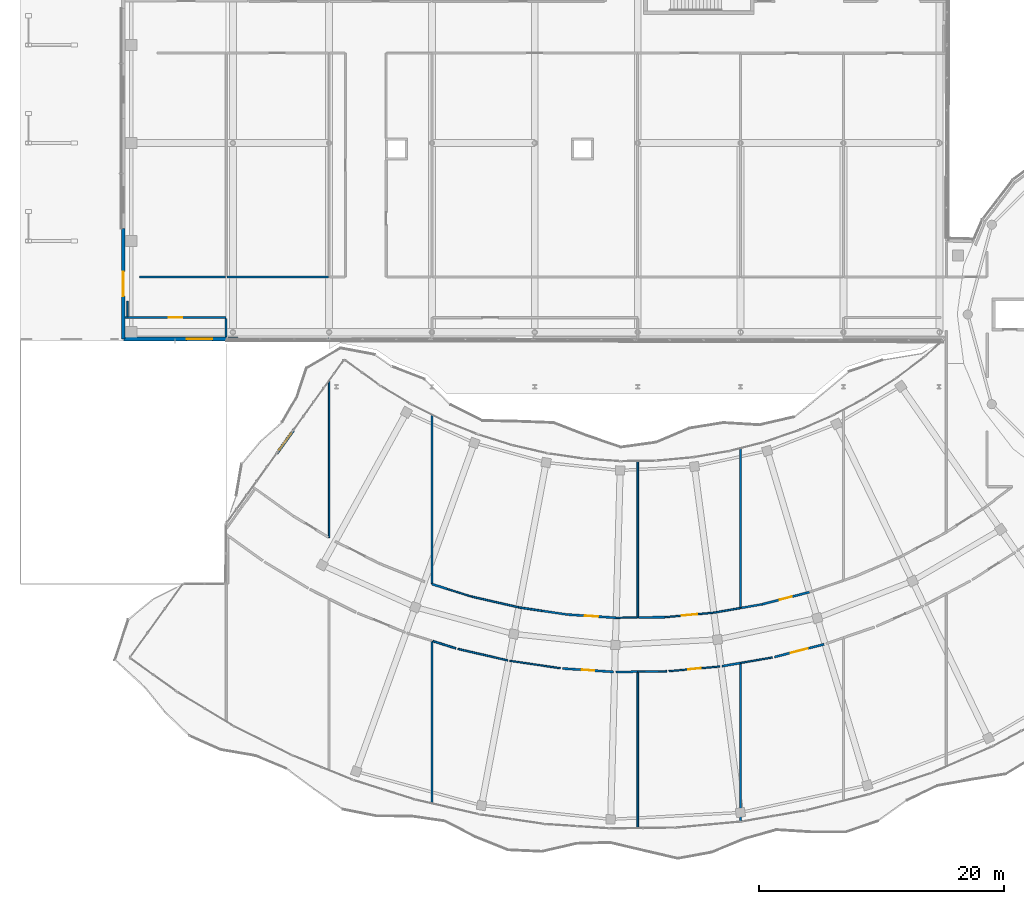
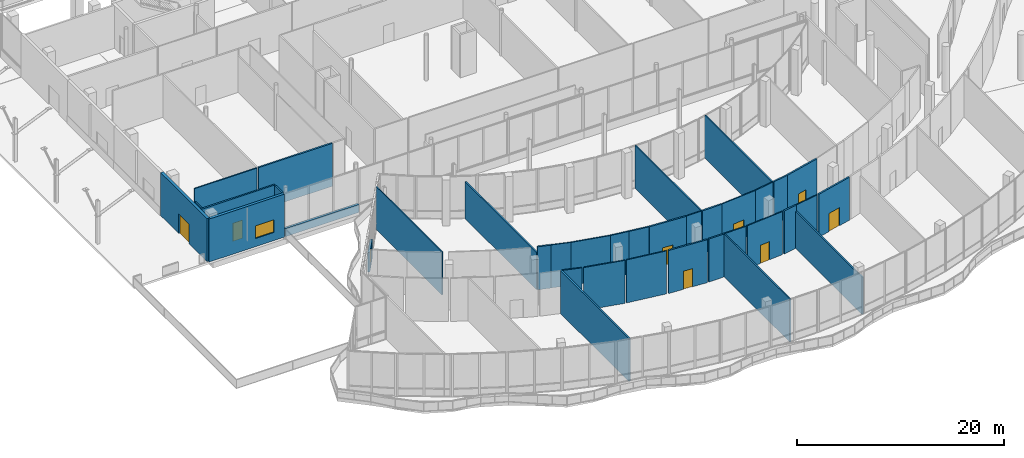
# One storey, part 133 of 158: 38 walls, 9 doors, 1 window, 10 openings.
"""IFC4 building model written with IfcOpenShell, lengths in metres."""

from ifc_helpers import new_model, si_unit, direction, frame, frame_2d, origin, place, context, subcontext, project, spatial, rectangle, extrude, material, layer, layer_set, type_object, element, fill, save


model = new_model("IFC4")

# Units and contexts
model_context = context("Model", 3, precision=1e-05, world=origin(), true_north=direction((0.0, 1.0)))
body_context = subcontext(model_context, "Body", "Model", "MODEL_VIEW")
ifc_project = project(units=[si_unit("LENGTHUNIT", "METRE"), si_unit("AREAUNIT", "SQUARE_METRE"), si_unit("VOLUMEUNIT", "CUBIC_METRE"), si_unit("PLANEANGLEUNIT", "RADIAN"), si_unit("MASSUNIT", "GRAM", prefix="KILO")], contexts=[model_context])

# Site, building, storey
site_placement = place(None, origin())
site = spatial("IfcSite", under=ifc_project, at=site_placement, CompositionType="ELEMENT")
building_placement = place(site_placement, origin())
building = spatial("IfcBuilding", under=site, at=building_placement, Name="Selatvlak General Hospital", CompositionType="ELEMENT")
storey_placement = place(building_placement, origin())
storey = spatial("IfcBuildingStorey", under=building, at=storey_placement, Name="L00", CompositionType="ELEMENT", Elevation=0.0)

# Wall, opening, door
ifc_material_1 = material(Name="Precast concrete C40/50 - white fair-faced", Category="concrete")
ifc_layer_1 = layer(ifc_material_1, 0.300048828125, Name="Precast concrete C40/50 - white fair-faced", Category="concrete")
ifc_layer_set_1 = layer_set([ifc_layer_1], Name="Precast concrete C40/50 - white fair-faced")
wall_type_1 = type_object("IfcWallType", Name="WALL-EW-01", PredefinedType="SOLIDWALL", material=ifc_layer_set_1)
wall_1_placement = place(storey_placement, frame((14.39990234375, 52.0, 0.0), z_axis=(0.0, 0.0, 1.0), x_axis=(0.0, 1.0, 0.0)))
wall_1 = element("IfcWall", 1, at=wall_1_placement, inside=storey, type_object=wall_type_1, Name="L00 exterior wall 0142", PredefinedType="SOLIDWALL", context=body_context, shape_type="SweptSolid", body=[
    extrude(rectangle(XDim=9.0, YDim=0.300048828125, at=frame_2d((4.5, 0.0))), origin(), (0.0, 0.0, 1.0), 5.080078125),
])
opening_1_placement = place(wall_1_placement, frame((3.5, 0.0, 0.0)))
opening_1 = element("IfcOpeningElement", 2, at=opening_1_placement, cuts=wall_1, Name="Opening DE-03", PredefinedType="OPENING", context=body_context, shape_type="SweptSolid", body=[
    extrude(rectangle(XDim=2.0, YDim=2.300048828125, at=frame_2d((1.0, 1.14990234375))), frame((0.0, 0.159912109375, 0.0), z_axis=(0.0, -1.0, 0.0), x_axis=(1.0, 0.0, 0.0)), (0.0, 0.0, 1.0), 0.320068359375),
])
ifc_material_2 = material(Name="Steel acoustic fire exit double door", Category="steel")
door_type_1 = type_object("IfcDoorType", Name="DOOR-DE-03", OperationType="DOUBLE_DOOR_SINGLE_SWING", PredefinedType="DOOR", material=ifc_material_2)
door_1_placement = place(opening_1_placement, origin())
door_1 = element("IfcDoor", 3, at=door_1_placement, inside=storey, type_object=door_type_1, Name="Ground pedestrian final exit double door 02", OperationType="DOUBLE_DOOR_SINGLE_SWING", OverallHeight=2.300048828125, OverallWidth=2.0, PredefinedType="DOOR", context=body_context, shape_type="SweptSolid", body=[
    extrude(rectangle(XDim=2.0, YDim=2.300048828125, at=frame_2d((1.0, 1.14990234375))), frame((0.0, 0.02490234375, 0.0), z_axis=(0.0, -1.0, 0.0), x_axis=(1.0, 0.0, 0.0)), (0.0, 0.0, 1.0), 0.050048828125),
])
fill(opening_1, door_1)

# Wall, opening, window
wall_2_placement = place(storey_placement, frame((22.80908203125, 52.0, 0.0), z_axis=(0.0, 0.0, 1.0), x_axis=(-1.0, 0.0, 0.0)))
wall_2 = element("IfcWall", 4, at=wall_2_placement, inside=storey, type_object=wall_type_1, Name="L00 exterior wall 0187", PredefinedType="SOLIDWALL", context=body_context, shape_type="SweptSolid", body=[
    extrude(rectangle(XDim=8.4091796875, YDim=0.300048828125, at=frame_2d((4.20458984375, 0.0))), origin(), (0.0, 0.0, 1.0), 5.080078125),
])
opening_2_placement = place(wall_2_placement, frame((1.135986328125, 0.0, 0.9599609375)))
opening_2 = element("IfcOpeningElement", 5, at=opening_2_placement, cuts=wall_2, Name="Opening WN-06", PredefinedType="OPENING", context=body_context, shape_type="SweptSolid", body=[
    extrude(rectangle(XDim=2.10009765625, YDim=1.5, at=frame_2d((1.050048828125, 0.75))), frame((0.0, 0.159912109375, 0.0), z_axis=(0.0, -1.0, 0.0), x_axis=(1.0, 0.0, 0.0)), (0.0, 0.0, 1.0), 0.320068359375),
])
ifc_material_3 = material(Name="Thermally broken aluminium Low-E window", Category="aluminium")
window_type = type_object("IfcWindowType", Name="WIN-WN-06", PartitioningType="SINGLE_PANEL", PredefinedType="WINDOW", material=ifc_material_3)
window_placement = place(opening_2_placement, origin())
window = element("IfcWindow", 6, at=window_placement, inside=storey, type_object=window_type, Name="L00 Bauhaus ribbon window 0005", OverallHeight=1.5, OverallWidth=2.10009765625, PartitioningType="SINGLE_PANEL", PredefinedType="WINDOW", context=body_context, shape_type="SweptSolid", body=[
    extrude(rectangle(XDim=2.10009765625, YDim=1.5, at=frame_2d((1.050048828125, 0.75))), frame((0.0, 0.030029296875, 0.0), z_axis=(0.0, -1.0, 0.0), x_axis=(1.0, 0.0, 0.0)), (0.0, 0.0, 1.0), 0.06005859375),
])
fill(opening_2, window)

# Wall
ifc_material_4 = material(Name="Precast concrete C40/50 - white Bauhaus spandrel", Category="concrete")
ifc_layer_2 = layer(ifc_material_4, 0.280029296875, Name="Precast concrete C40/50 - white Bauhaus spandrel", Category="concrete")
ifc_layer_set_2 = layer_set([ifc_layer_2], Name="Precast concrete C40/50 - white Bauhaus spandrel")
wall_type_2 = type_object("IfcWallType", Name="WALL-EW-02", PredefinedType="SOLIDWALL", material=ifc_layer_set_2)
wall_3_placement = place(storey_placement, frame((31.1689453125, 51.985107421875, 0.0), z_axis=(0.0, 0.0, 1.0), x_axis=(-0.999998358775, 0.001811752647, 0.0)))
element("IfcWall", 7, at=wall_3_placement, inside=storey, type_object=wall_type_2, Name="L00 Bauhaus spandrel sill wall 0186", PredefinedType="SOLIDWALL", context=body_context, shape_type="SweptSolid", body=[
    extrude(rectangle(XDim=8.219970703125, YDim=0.280029296875, at=frame_2d((4.10986328125, 0.0))), origin(), (0.0, 0.0, 1.0), 0.93994140625),
])

# Wall, opening, door
ifc_layer_3 = layer(ifc_material_1, 0.239990234375, Name="Precast concrete C40/50 - white fair-faced", Category="concrete")
ifc_layer_set_3 = layer_set([ifc_layer_3], Name="Precast concrete C40/50 - white fair-faced")
wall_type_3 = type_object("IfcWallType", Name="WALL-EW-04", PredefinedType="SOLIDWALL", material=ifc_layer_set_3)
wall_4_placement = place(storey_placement, frame((26.947021484375, 42.672119140625, 0.0), z_axis=(0.0, 0.0, 1.0), x_axis=(0.583485123331, 0.812123827289, 0.0)))
wall_4 = element("IfcWall", 8, at=wall_4_placement, inside=storey, type_object=wall_type_3, Name="L00 S-curve glazed balcony door frame 0179", PredefinedType="SOLIDWALL", context=body_context, shape_type="SweptSolid", body=[
    extrude(rectangle(XDim=2.300048828125, YDim=0.239990234375, at=frame_2d((1.14990234375, 0.0))), origin(), (0.0, 0.0, 1.0), 2.320068359375),
])
opening_3_placement = place(wall_4_placement, frame((0.35009765625, 0.0, 0.0)))
opening_3 = element("IfcOpeningElement", 9, at=opening_3_placement, cuts=wall_4, Name="Opening DE-05", PredefinedType="OPENING", context=body_context, shape_type="SweptSolid", body=[
    extrude(rectangle(XDim=1.60009765625, YDim=2.199951171875, at=frame_2d((0.800048828125, 1.10009765625))), frame((0.0, 0.1298828125, 0.0), z_axis=(0.0, -1.0, 0.0), x_axis=(1.0, 0.0, 0.0)), (0.0, 0.0, 1.0), 0.260009765625),
])
ifc_material_5 = material(Name="Anodised aluminium balcony double door", Category="aluminium")
door_type_2 = type_object("IfcDoorType", Name="DOOR-DE-05", OperationType="DOUBLE_DOOR_SINGLE_SWING", PredefinedType="DOOR", material=ifc_material_5)
door_2_placement = place(opening_3_placement, origin())
door_2 = element("IfcDoor", 10, at=door_2_placement, inside=storey, type_object=door_type_2, Name="L00 clinic balcony double door 19", OperationType="DOUBLE_DOOR_SINGLE_SWING", OverallHeight=2.199951171875, OverallWidth=1.60009765625, PredefinedType="DOOR", context=body_context, shape_type="SweptSolid", body=[
    extrude(rectangle(XDim=1.60009765625, YDim=2.199951171875, at=frame_2d((0.800048828125, 1.10009765625))), frame((0.0, 0.02490234375, 0.0), z_axis=(0.0, -1.0, 0.0), x_axis=(1.0, 0.0, 0.0)), (0.0, 0.0, 1.0), 0.050048828125),
])
fill(opening_3, door_2)

ifc_material_6 = material(Name="Acoustic gypsum stud partition")
ifc_layer_4 = layer(ifc_material_6, 0.179931640625, Name="Acoustic gypsum stud partition")
ifc_layer_set_4 = layer_set([ifc_layer_4], Name="Acoustic gypsum stud partition")
wall_type_4 = type_object("IfcWallType", Name="WALL-PT-01", PredefinedType="PARTITIONING", material=ifc_layer_set_4)
wall_5_placement = place(storey_placement, frame((14.547119140625, 53.739990234375, 0.0), z_axis=(0.0, 0.0, 1.0), x_axis=(1.0, 0.0, 0.0)))
wall_5 = element("IfcWall", 11, at=wall_5_placement, inside=storey, type_object=wall_type_4, Name="L00 clinical partition PT-L00-0405", PredefinedType="PARTITIONING", context=body_context, shape_type="SweptSolid", body=[
    extrude(rectangle(XDim=8.2529296875, YDim=0.179931640625, at=frame_2d((4.12646484375, 0.0))), origin(), (0.0, 0.0, 1.0), 5.080078125),
])
opening_4_placement = place(wall_5_placement, frame((3.576904296875, 0.0, 0.0)))
opening_4 = element("IfcOpeningElement", 12, at=opening_4_placement, cuts=wall_5, Name="Opening D-22", PredefinedType="OPENING", context=body_context, shape_type="SweptSolid", body=[
    extrude(rectangle(XDim=1.10009765625, YDim=2.14990234375, at=frame_2d((0.550048828125, 1.074951171875))), frame((0.0, 0.099853515625, 0.0), z_axis=(0.0, -1.0, 0.0), x_axis=(1.0, 0.0, 0.0)), (0.0, 0.0, 1.0), 0.199951171875),
])
ifc_material_7 = material(Name="Pharmacy security fire door")
door_type_3 = type_object("IfcDoorType", Name="DOOR-D-22", OperationType="NOTDEFINED", PredefinedType="DOOR", material=ifc_material_7)
door_3_placement = place(opening_4_placement, origin())
door_3 = element("IfcDoor", 13, at=door_3_placement, inside=storey, type_object=door_type_3, Name="L00 Emergency Trauma Resuscitation Bay 01 door", OperationType="SINGLE_SWING_LEFT", OverallHeight=2.14990234375, OverallWidth=1.10009765625, PredefinedType="DOOR", context=body_context, shape_type="SweptSolid", body=[
    extrude(rectangle(XDim=1.10009765625, YDim=2.14990234375, at=frame_2d((0.550048828125, 1.074951171875))), frame((0.0, 0.02490234375, 0.0), z_axis=(0.0, -1.0, 0.0), x_axis=(1.0, 0.0, 0.0)), (0.0, 0.0, 1.0), 0.050048828125),
])
fill(opening_4, door_3)

# Walls
wall_6_placement = place(storey_placement, frame((31.14404296875, 57.06005859375, 0.0), z_axis=(0.0, 0.0, 1.0), x_axis=(-1.0, 0.0, 0.0)))
element("IfcWall", 14, at=wall_6_placement, inside=storey, type_object=wall_type_4, Name="L00 clinical partition PT-L00-0420", PredefinedType="PARTITIONING", context=body_context, shape_type="SweptSolid", body=[
    extrude(rectangle(XDim=8.27294921875, YDim=0.179931640625, at=frame_2d((4.136474609375, 0.0))), origin(), (0.0, 0.0, 1.0), 5.080078125),
])
wall_7_placement = place(storey_placement, frame((39.60009765625, 27.35009765625, 0.0), z_axis=(0.0, 0.0, 1.0), x_axis=(0.0, -1.0, 0.0)))
element("IfcWall", 15, at=wall_7_placement, inside=storey, type_object=wall_type_4, Name="L00 clinical partition PT-L00-0425", PredefinedType="PARTITIONING", context=body_context, shape_type="SweptSolid", body=[
    extrude(rectangle(XDim=13.274169921875, YDim=0.179931640625, at=frame_2d((6.63720703125, 0.0))), origin(), (0.0, 0.0, 1.0), 5.080078125),
])

# Wall, opening, door
wall_8_placement = place(storey_placement, frame((50.26904296875, 25.093017578125, 0.0), z_axis=(0.0, 0.0, 1.0), x_axis=(0.997763106532, -0.066848958427, 0.0)))
wall_8 = element("IfcWall", 16, at=wall_8_placement, inside=storey, type_object=wall_type_4, Name="L00 clinical partition PT-L00-0440", PredefinedType="PARTITIONING", context=body_context, shape_type="SweptSolid", body=[
    extrude(rectangle(XDim=4.17431640625, YDim=0.179931640625, at=frame_2d((2.087158203125, 0.0))), origin(), (0.0, 0.0, 1.0), 5.080078125),
])
opening_5_placement = place(wall_8_placement, frame((1.5869140625, 0.0, 0.0)))
opening_5 = element("IfcOpeningElement", 17, at=opening_5_placement, cuts=wall_8, Name="Opening D-21", PredefinedType="OPENING", context=body_context, shape_type="SweptSolid", body=[
    extrude(rectangle(XDim=1.0, YDim=2.14990234375, at=frame_2d((0.5, 1.074951171875))), frame((0.0, 0.099853515625, 0.0), z_axis=(0.0, -1.0, 0.0), x_axis=(1.0, 0.0, 0.0)), (0.0, 0.0, 1.0), 0.199951171875),
])
ifc_material_8 = material(Name="Laboratory fire door")
door_type_4 = type_object("IfcDoorType", Name="DOOR-D-21", OperationType="NOTDEFINED", PredefinedType="DOOR", material=ifc_material_8)
door_4_placement = place(opening_5_placement, origin())
door_4 = element("IfcDoor", 18, at=door_4_placement, inside=storey, type_object=door_type_4, Name="L00 Outpatient Specialist Waiting Concourse 08 door", OperationType="SINGLE_SWING_RIGHT", OverallHeight=2.14990234375, OverallWidth=1.0, PredefinedType="DOOR", context=body_context, shape_type="SweptSolid", body=[
    extrude(rectangle(XDim=1.0, YDim=2.14990234375, at=frame_2d((0.5, 1.074951171875))), frame((0.0, 0.02490234375, 0.0), z_axis=(0.0, -1.0, 0.0), x_axis=(1.0, 0.0, 0.0)), (0.0, 0.0, 1.0), 0.050048828125),
])
fill(opening_5, door_4)

wall_9_placement = place(storey_placement, frame((54.64208984375, 29.22998046875, 0.0), z_axis=(0.0, 0.0, 1.0), x_axis=(-0.99776702154, 0.06679049878, 0.0)))
wall_9 = element("IfcWall", 19, at=wall_9_placement, inside=storey, type_object=wall_type_4, Name="L00 clinical partition PT-L00-0445", PredefinedType="PARTITIONING", context=body_context, shape_type="SweptSolid", body=[
    extrude(rectangle(XDim=3.9990234375, YDim=0.179931640625, at=frame_2d((1.99951171875, 0.0))), origin(), (0.0, 0.0, 1.0), 5.080078125),
])
opening_6_placement = place(wall_9_placement, frame((1.448974609375, 0.0, 0.0)))
opening_6 = element("IfcOpeningElement", 20, at=opening_6_placement, cuts=wall_9, Name="Opening D-22", PredefinedType="OPENING", context=body_context, shape_type="SweptSolid", body=[
    extrude(rectangle(XDim=1.10009765625, YDim=2.14990234375, at=frame_2d((0.550048828125, 1.074951171875))), frame((0.0, 0.099853515625, 0.0), z_axis=(0.0, -1.0, 0.0), x_axis=(1.0, 0.0, 0.0)), (0.0, 0.0, 1.0), 0.199951171875),
])
door_5_placement = place(opening_6_placement, origin())
door_5 = element("IfcDoor", 21, at=door_5_placement, inside=storey, type_object=door_type_3, Name="L00 Outpatient Specialist Waiting Concourse 09 door", OperationType="SINGLE_SWING_LEFT", OverallHeight=2.14990234375, OverallWidth=1.10009765625, PredefinedType="DOOR", context=body_context, shape_type="SweptSolid", body=[
    extrude(rectangle(XDim=1.10009765625, YDim=2.14990234375, at=frame_2d((0.550048828125, 1.074951171875))), frame((0.0, 0.02490234375, 0.0), z_axis=(0.0, -1.0, 0.0), x_axis=(1.0, 0.0, 0.0)), (0.0, 0.0, 1.0), 0.050048828125),
])
fill(opening_6, door_5)

# Walls
wall_10_placement = place(storey_placement, frame((40.885009765625, 31.5791015625, 0.0), z_axis=(0.0, 0.0, 1.0), x_axis=(-0.953790595737, 0.300472127633, 0.0)))
element("IfcWall", 22, at=wall_10_placement, inside=storey, type_object=wall_type_4, Name="L00 clinical partition PT-L00-0450", PredefinedType="PARTITIONING", context=body_context, shape_type="SweptSolid", body=[
    extrude(rectangle(XDim=1.34716796875, YDim=0.179931640625, at=frame_2d((0.673583984375, 0.0))), origin(), (0.0, 0.0, 1.0), 5.080078125),
])
wall_11_placement = place(storey_placement, frame((63.2900390625, 25.280029296875, 0.0), z_axis=(0.0, 0.0, 1.0), x_axis=(0.985282990006, 0.170931066819, 0.0)))
element("IfcWall", 23, at=wall_11_placement, inside=storey, type_object=wall_type_4, Name="L00 clinical partition PT-L00-0460", PredefinedType="PARTITIONING", context=body_context, shape_type="SweptSolid", body=[
    extrude(rectangle(XDim=1.532470703125, YDim=0.179931640625, at=frame_2d((0.76611328125, 0.0))), origin(), (0.0, 0.0, 1.0), 5.080078125),
])
wall_12_placement = place(storey_placement, frame((58.638916015625, 29.281005859375, 0.0), z_axis=(0.0, 0.0, 1.0), x_axis=(-0.999916773113, -0.012901428128, 0.0)))
element("IfcWall", 24, at=wall_12_placement, inside=storey, type_object=wall_type_4, Name="L00 clinical partition PT-L00-0465", PredefinedType="PARTITIONING", context=body_context, shape_type="SweptSolid", body=[
    extrude(rectangle(XDim=2.17626953125, YDim=0.179931640625, at=frame_2d((1.088134765625, 0.0))), origin(), (0.0, 0.0, 1.0), 5.080078125),
])

# Wall, opening, door
wall_13_placement = place(storey_placement, frame((67.573974609375, 26.030029296875, 0.0), z_axis=(0.0, 0.0, 1.0), x_axis=(0.968581545525, 0.248696179443, 0.0)))
wall_13 = element("IfcWall", 25, at=wall_13_placement, inside=storey, type_object=wall_type_4, Name="L00 clinical partition PT-L00-0470", PredefinedType="PARTITIONING", context=body_context, shape_type="SweptSolid", body=[
    extrude(rectangle(XDim=4.174072265625, YDim=0.179931640625, at=frame_2d((2.0869140625, 0.0))), origin(), (0.0, 0.0, 1.0), 5.080078125),
])
opening_7_placement = place(wall_13_placement, frame((1.362060546875, 0.0, 0.0)))
opening_7 = element("IfcOpeningElement", 26, at=opening_7_placement, cuts=wall_13, Name="Opening D-12", PredefinedType="OPENING", context=body_context, shape_type="SweptSolid", body=[
    extrude(rectangle(XDim=1.449951171875, YDim=2.14990234375, at=frame_2d((0.72509765625, 1.074951171875))), frame((0.0, 0.099853515625, 0.0), z_axis=(0.0, -1.0, 0.0), x_axis=(1.0, 0.0, 0.0)), (0.0, 0.0, 1.0), 0.199951171875),
])
ifc_material_9 = material(Name="Isolation anteroom door")
door_type_5 = type_object("IfcDoorType", Name="DOOR-D-12", OperationType="NOTDEFINED", PredefinedType="DOOR", material=ifc_material_9)
door_6_placement = place(opening_7_placement, origin())
door_6 = element("IfcDoor", 27, at=door_6_placement, inside=storey, type_object=door_type_5, Name="L00 Dermatology Procedure Clinic 15 door", OperationType="SINGLE_SWING_LEFT", OverallHeight=2.14990234375, OverallWidth=1.449951171875, PredefinedType="DOOR", context=body_context, shape_type="SweptSolid", body=[
    extrude(rectangle(XDim=1.449951171875, YDim=2.14990234375, at=frame_2d((0.72509765625, 1.074951171875))), frame((0.0, 0.02490234375, 0.0), z_axis=(0.0, -1.0, 0.0), x_axis=(1.0, 0.0, 0.0)), (0.0, 0.0, 1.0), 0.050048828125),
])
fill(opening_7, door_6)

wall_14_placement = place(storey_placement, frame((70.43310546875, 31.327880859375, 0.0), z_axis=(0.0, 0.0, 1.0), x_axis=(-0.968571543656, -0.248735129846, 0.0)))
wall_14 = element("IfcWall", 28, at=wall_14_placement, inside=storey, type_object=wall_type_4, Name="L00 clinical partition PT-L00-0475", PredefinedType="PARTITIONING", context=body_context, shape_type="SweptSolid", body=[
    extrude(rectangle(XDim=3.999755859375, YDim=0.179931640625, at=frame_2d((2.0, 0.0))), origin(), (0.0, 0.0, 1.0), 5.080078125),
])
opening_8_placement = place(wall_14_placement, frame((1.5, 0.0, 0.0)))
opening_8 = element("IfcOpeningElement", 29, at=opening_8_placement, cuts=wall_14, Name="Opening D-21", PredefinedType="OPENING", context=body_context, shape_type="SweptSolid", body=[
    extrude(rectangle(XDim=1.0, YDim=2.14990234375, at=frame_2d((0.5, 1.074951171875))), frame((0.0, 0.099853515625, 0.0), z_axis=(0.0, -1.0, 0.0), x_axis=(1.0, 0.0, 0.0)), (0.0, 0.0, 1.0), 0.199951171875),
])
door_7_placement = place(opening_8_placement, origin())
door_7 = element("IfcDoor", 30, at=door_7_placement, inside=storey, type_object=door_type_4, Name="L00 Outpatient Specialist Consultation Clinic 16 door", OperationType="SINGLE_SWING_RIGHT", OverallHeight=2.14990234375, OverallWidth=1.0, PredefinedType="DOOR", context=body_context, shape_type="SweptSolid", body=[
    extrude(rectangle(XDim=1.0, YDim=2.14990234375, at=frame_2d((0.5, 1.074951171875))), frame((0.0, 0.02490234375, 0.0), z_axis=(0.0, -1.0, 0.0), x_axis=(1.0, 0.0, 0.0)), (0.0, 0.0, 1.0), 0.050048828125),
])
fill(opening_8, door_7)

# Walls
ifc_layer_5 = layer(ifc_material_6, 0.1650390625, Name="Acoustic gypsum stud partition")
ifc_layer_set_5 = layer_set([ifc_layer_5], Name="Acoustic gypsum stud partition")
wall_type_5 = type_object("IfcWallType", Name="WALL-PT-02", PredefinedType="PARTITIONING", material=ifc_layer_set_5)
wall_15_placement = place(storey_placement, frame((22.800048828125, 53.654052734375, 0.0), z_axis=(0.0, 0.0, 1.0), x_axis=(0.0, -1.0, 0.0)))
element("IfcWall", 31, at=wall_15_placement, inside=storey, type_object=wall_type_5, Name="L00 clinical partition PT-L00-0406", PredefinedType="PARTITIONING", context=body_context, shape_type="SweptSolid", body=[
    extrude(rectangle(XDim=1.507080078125, YDim=0.1650390625, at=frame_2d((0.75341796875, 0.0))), origin(), (0.0, 0.0, 1.0), 5.080078125),
])
wall_16_placement = place(storey_placement, frame((39.60009765625, 45.7939453125, 0.0), z_axis=(0.0, 0.0, 1.0), x_axis=(0.0, -1.0, 0.0)))
element("IfcWall", 32, at=wall_16_placement, inside=storey, type_object=wall_type_5, Name="L00 clinical partition PT-L00-0426", PredefinedType="PARTITIONING", context=body_context, shape_type="SweptSolid", body=[
    extrude(rectangle(XDim=13.81005859375, YDim=0.1650390625, at=frame_2d((6.905029296875, 0.0))), origin(), (0.0, 0.0, 1.0), 4.3798828125),
])
wall_17_placement = place(storey_placement, frame((54.610107421875, 24.80908203125, 0.0), z_axis=(0.0, 0.0, 1.0), x_axis=(0.999917804939, 0.012821207702, 0.0)))
element("IfcWall", 33, at=wall_17_placement, inside=storey, type_object=wall_type_5, Name="L00 clinical partition PT-L00-0441", PredefinedType="PARTITIONING", context=body_context, shape_type="SweptSolid", body=[
    extrude(rectangle(XDim=1.7900390625, YDim=0.1650390625, at=frame_2d((0.89501953125, 0.0))), origin(), (0.0, 0.0, 1.0), 5.080078125),
])
wall_18_placement = place(storey_placement, frame((50.652099609375, 29.4970703125, 0.0), z_axis=(0.0, 0.0, 1.0), x_axis=(-0.989358152092, 0.145500676593, 0.0)))
element("IfcWall", 34, at=wall_18_placement, inside=storey, type_object=wall_type_5, Name="L00 clinical partition PT-L00-0446", PredefinedType="PARTITIONING", context=body_context, shape_type="SweptSolid", body=[
    extrude(rectangle(XDim=2.1025390625, YDim=0.1650390625, at=frame_2d((1.05126953125, 0.0))), origin(), (0.0, 0.0, 1.0), 5.080078125),
])
wall_19_placement = place(storey_placement, frame((64.800048828125, 25.455078125, 0.0), z_axis=(0.0, 0.0, 1.0), x_axis=(0.0, -1.0, 0.0)))
element("IfcWall", 35, at=wall_19_placement, inside=storey, type_object=wall_type_5, Name="L00 clinical partition PT-L00-0461", PredefinedType="PARTITIONING", context=body_context, shape_type="SweptSolid", body=[
    extrude(rectangle(XDim=12.864013671875, YDim=0.1650390625, at=frame_2d((6.43212890625, 0.0))), origin(), (0.0, 0.0, 1.0), 4.3798828125),
])
wall_20_placement = place(storey_placement, frame((66.55908203125, 30.3330078125, 0.0), z_axis=(0.0, 0.0, 1.0), x_axis=(-0.985270267568, -0.171004385462, 0.0)))
element("IfcWall", 36, at=wall_20_placement, inside=storey, type_object=wall_type_5, Name="L00 clinical partition PT-L00-0476", PredefinedType="PARTITIONING", context=body_context, shape_type="SweptSolid", body=[
    extrude(rectangle(XDim=1.713134765625, YDim=0.1650390625, at=frame_2d((0.8564453125, 0.0))), origin(), (0.0, 0.0, 1.0), 5.080078125),
])
ifc_layer_6 = layer(ifc_material_6, 0.14990234375, Name="Acoustic gypsum stud partition")
ifc_layer_set_6 = layer_set([ifc_layer_6], Name="Acoustic gypsum stud partition")
wall_type_6 = type_object("IfcWallType", Name="WALL-PT-03", PredefinedType="PARTITIONING", material=ifc_layer_set_6)
wall_21_placement = place(storey_placement, frame((39.68603515625, 27.322998046875, 0.0), z_axis=(0.0, 0.0, 1.0), x_axis=(0.953640983057, -0.300946632204, 0.0)))
element("IfcWall", 37, at=wall_21_placement, inside=storey, type_object=wall_type_6, Name="L00 clinical partition PT-L00-0437", PredefinedType="PARTITIONING", context=body_context, shape_type="SweptSolid", body=[
    extrude(rectangle(XDim=1.960693359375, YDim=0.14990234375, at=frame_2d((0.98046875, 0.0))), origin(), (0.0, 0.0, 1.0), 5.080078125),
])
wall_22_placement = place(storey_placement, frame((56.39990234375, 24.7529296875, 0.0), z_axis=(0.0, 0.0, 1.0), x_axis=(0.0, -1.0, 0.0)))
element("IfcWall", 38, at=wall_22_placement, inside=storey, type_object=wall_type_6, Name="L00 clinical partition PT-L00-0442", PredefinedType="PARTITIONING", context=body_context, shape_type="SweptSolid", body=[
    extrude(rectangle(XDim=12.68896484375, YDim=0.14990234375, at=frame_2d((6.344482421875, 0.0))), origin(), (0.0, 0.0, 1.0), 5.080078125),
])
wall_23_placement = place(storey_placement, frame((48.572021484375, 29.802978515625, 0.0), z_axis=(0.0, 0.0, 1.0), x_axis=(-0.989255269902, 0.146198532726, 0.0)))
element("IfcWall", 39, at=wall_23_placement, inside=storey, type_object=wall_type_6, Name="L00 clinical partition PT-L00-0447", PredefinedType="PARTITIONING", context=body_context, shape_type="SweptSolid", body=[
    extrude(rectangle(XDim=1.895263671875, YDim=0.14990234375, at=frame_2d((0.94775390625, 0.0))), origin(), (0.0, 0.0, 1.0), 5.080078125),
])
wall_24_placement = place(storey_placement, frame((64.800048828125, 43.06298828125, 0.0), z_axis=(0.0, 0.0, 1.0), x_axis=(0.0, -1.0, 0.0)))
element("IfcWall", 40, at=wall_24_placement, inside=storey, type_object=wall_type_6, Name="L00 clinical partition PT-L00-0462", PredefinedType="PARTITIONING", context=body_context, shape_type="SweptSolid", body=[
    extrude(rectangle(XDim=13.034912109375, YDim=0.14990234375, at=frame_2d((6.517578125, 0.0))), origin(), (0.0, 0.0, 1.0), 5.080078125),
])
ifc_material_10 = material(Name="Moisture-resistant clinical partition")
ifc_layer_7 = layer(ifc_material_10, 0.135009765625, Name="Moisture-resistant clinical partition")
ifc_layer_set_7 = layer_set([ifc_layer_7], Name="Moisture-resistant clinical partition")
wall_type_7 = type_object("IfcWallType", Name="WALL-PT-04", PredefinedType="PARTITIONING", material=ifc_layer_set_7)
wall_25_placement = place(storey_placement, frame((22.72900390625, 57.06005859375, 0.0), z_axis=(0.0, 0.0, 1.0), x_axis=(-1.0, 0.0, 0.0)))
element("IfcWall", 41, at=wall_25_placement, inside=storey, type_object=wall_type_7, Name="L00 clinical partition PT-L00-0403", PredefinedType="PARTITIONING", context=body_context, shape_type="SweptSolid", body=[
    extrude(rectangle(XDim=6.991943359375, YDim=0.135009765625, at=frame_2d((3.49609375, 0.0))), origin(), (0.0, 0.0, 1.0), 5.080078125),
])
wall_26_placement = place(storey_placement, frame((41.72509765625, 26.68701171875, 0.0), z_axis=(0.0, 0.0, 1.0), x_axis=(0.974584054813, -0.224022141996, 0.0)))
element("IfcWall", 42, at=wall_26_placement, inside=storey, type_object=wall_type_7, Name="L00 clinical partition PT-L00-0438", PredefinedType="PARTITIONING", context=body_context, shape_type="SweptSolid", body=[
    extrude(rectangle(XDim=4.174072265625, YDim=0.135009765625, at=frame_2d((2.0869140625, 0.0))), origin(), (0.0, 0.0, 1.0), 5.080078125),
])
wall_27_placement = place(storey_placement, frame((56.39990234375, 42.02001953125, 0.0), z_axis=(0.0, 0.0, 1.0), x_axis=(0.0, -1.0, 0.0)))
element("IfcWall", 43, at=wall_27_placement, inside=storey, type_object=wall_type_7, Name="L00 clinical partition PT-L00-0443", PredefinedType="PARTITIONING", context=body_context, shape_type="SweptSolid", body=[
    extrude(rectangle(XDim=12.76806640625, YDim=0.135009765625, at=frame_2d((6.384033203125, 0.0))), origin(), (0.0, 0.0, 1.0), 5.080078125),
])
wall_28_placement = place(storey_placement, frame((46.697021484375, 30.080078125, 0.0), z_axis=(0.0, 0.0, 1.0), x_axis=(-0.974613054852, 0.223895943044, 0.0)))
element("IfcWall", 44, at=wall_28_placement, inside=storey, type_object=wall_type_7, Name="L00 clinical partition PT-L00-0448", PredefinedType="PARTITIONING", context=body_context, shape_type="SweptSolid", body=[
    extrude(rectangle(XDim=3.99755859375, YDim=0.135009765625, at=frame_2d((1.998779296875, 0.0))), origin(), (0.0, 0.0, 1.0), 5.080078125),
])
wall_29_placement = place(storey_placement, frame((56.39990234375, 24.83203125, 0.0), z_axis=(0.0, 0.0, 1.0), x_axis=(0.999920614738, 0.012600167566, 0.0)))
element("IfcWall", 45, at=wall_29_placement, inside=storey, type_object=wall_type_7, Name="L00 clinical partition PT-L00-0458", PredefinedType="PARTITIONING", context=body_context, shape_type="SweptSolid", body=[
    extrude(rectangle(XDim=2.38330078125, YDim=0.135009765625, at=frame_2d((1.191650390625, 0.0))), origin(), (0.0, 0.0, 1.0), 5.080078125),
])
wall_30_placement = place(storey_placement, frame((64.800048828125, 30.028076171875, 0.0), z_axis=(0.0, 0.0, 1.0), x_axis=(-0.985196357546, -0.17142968552, 0.0)))
element("IfcWall", 46, at=wall_30_placement, inside=storey, type_object=wall_type_7, Name="L00 clinical partition PT-L00-0463", PredefinedType="PARTITIONING", context=body_context, shape_type="SweptSolid", body=[
    extrude(rectangle(XDim=2.211669921875, YDim=0.135009765625, at=frame_2d((1.10595703125, 0.0))), origin(), (0.0, 0.0, 1.0), 5.080078125),
])
ifc_layer_8 = layer(ifc_material_10, 0.1201171875, Name="Moisture-resistant clinical partition")
ifc_layer_set_8 = layer_set([ifc_layer_8], Name="Moisture-resistant clinical partition")
wall_type_8 = type_object("IfcWallType", Name="WALL-PT-05", PredefinedType="PARTITIONING", material=ifc_layer_set_8)
wall_31_placement = place(storey_placement, frame((14.739990234375, 55.092041015625, 0.0), z_axis=(0.0, 0.0, 1.0), x_axis=(0.0, -1.0, 0.0)))
element("IfcWall", 47, at=wall_31_placement, inside=storey, type_object=wall_type_8, Name="L00 clinical partition PT-L00-0404", PredefinedType="PARTITIONING", context=body_context, shape_type="SweptSolid", body=[
    extrude(rectangle(XDim=1.2919921875, YDim=0.1201171875, at=frame_2d((0.64599609375, 0.0))), origin(), (0.0, 0.0, 1.0), 5.080078125),
])
wall_32_placement = place(storey_placement, frame((31.199951171875, 48.56591796875, 0.0), z_axis=(0.0, 0.0, 1.0), x_axis=(0.0, -1.0, 0.0)))
element("IfcWall", 48, at=wall_32_placement, inside=storey, type_object=wall_type_8, Name="L00 clinical partition PT-L00-0409", PredefinedType="PARTITIONING", context=body_context, shape_type="SweptSolid", body=[
    extrude(rectangle(XDim=12.791015625, YDim=0.1201171875, at=frame_2d((6.3955078125, 0.0))), origin(), (0.0, 0.0, 1.0), 5.080078125),
])
wall_33_placement = place(storey_placement, frame((45.966064453125, 25.719970703125, 0.0), z_axis=(0.0, 0.0, 1.0), x_axis=(0.989334354326, -0.145662401979, 0.0)))
element("IfcWall", 49, at=wall_33_placement, inside=storey, type_object=wall_type_8, Name="L00 clinical partition PT-L00-0439", PredefinedType="PARTITIONING", context=body_context, shape_type="SweptSolid", body=[
    extrude(rectangle(XDim=4.17333984375, YDim=0.1201171875, at=frame_2d((2.086669921875, 0.0))), origin(), (0.0, 0.0, 1.0), 5.080078125),
])
wall_34_placement = place(storey_placement, frame((56.3740234375, 29.251953125, 0.0), z_axis=(0.0, 0.0, 1.0), x_axis=(-0.999919532551, -0.012685756686, 0.0)))
element("IfcWall", 50, at=wall_34_placement, inside=storey, type_object=wall_type_8, Name="L00 clinical partition PT-L00-0444", PredefinedType="PARTITIONING", context=body_context, shape_type="SweptSolid", body=[
    extrude(rectangle(XDim=1.732177734375, YDim=0.1201171875, at=frame_2d((0.8662109375, 0.0))), origin(), (0.0, 0.0, 1.0), 5.080078125),
])
wall_35_placement = place(storey_placement, frame((42.801025390625, 30.97509765625, 0.0), z_axis=(0.0, 0.0, 1.0), x_axis=(-0.953733151944, 0.300654411049, 0.0)))
element("IfcWall", 51, at=wall_35_placement, inside=storey, type_object=wall_type_8, Name="L00 clinical partition PT-L00-0449", PredefinedType="PARTITIONING", context=body_context, shape_type="SweptSolid", body=[
    extrude(rectangle(XDim=2.009033203125, YDim=0.1201171875, at=frame_2d((1.00439453125, 0.0))), origin(), (0.0, 0.0, 1.0), 5.080078125),
])

# Wall, opening, door
wall_36_placement = place(storey_placement, frame((58.958984375, 24.87109375, 0.0), z_axis=(0.0, 0.0, 1.0), x_axis=(0.995736396847, 0.092244392753, 0.0)))
wall_36 = element("IfcWall", 52, at=wall_36_placement, inside=storey, type_object=wall_type_8, Name="L00 clinical partition PT-L00-0459", PredefinedType="PARTITIONING", context=body_context, shape_type="SweptSolid", body=[
    extrude(rectangle(XDim=4.173828125, YDim=0.1201171875, at=frame_2d((2.0869140625, 0.0))), origin(), (0.0, 0.0, 1.0), 5.080078125),
])
opening_9_placement = place(wall_36_placement, frame((1.56201171875, 0.0, 0.0)))
opening_9 = element("IfcOpeningElement", 53, at=opening_9_placement, cuts=wall_36, Name="Opening D-04", PredefinedType="OPENING", context=body_context, shape_type="SweptSolid", body=[
    extrude(rectangle(XDim=1.050048828125, YDim=2.14990234375, at=frame_2d((0.52490234375, 1.074951171875))), frame((0.0, 0.070068359375, 0.0), z_axis=(0.0, -1.0, 0.0), x_axis=(1.0, 0.0, 0.0)), (0.0, 0.0, 1.0), 0.14013671875),
])
ifc_material_11 = material(Name="Consultation room door")
door_type_6 = type_object("IfcDoorType", Name="DOOR-D-04", OperationType="NOTDEFINED", PredefinedType="DOOR", material=ifc_material_11)
door_8_placement = place(opening_9_placement, origin())
door_8 = element("IfcDoor", 54, at=door_8_placement, inside=storey, type_object=door_type_6, Name="L00 Dermatology Procedure Clinic 12 door", OperationType="SINGLE_SWING_RIGHT", OverallHeight=2.14990234375, OverallWidth=1.050048828125, PredefinedType="DOOR", context=body_context, shape_type="SweptSolid", body=[
    extrude(rectangle(XDim=1.050048828125, YDim=2.14990234375, at=frame_2d((0.52490234375, 1.074951171875))), frame((0.0, 0.02490234375, 0.0), z_axis=(0.0, -1.0, 0.0), x_axis=(1.0, 0.0, 0.0)), (0.0, 0.0, 1.0), 0.050048828125),
])
fill(opening_9, door_8)

wall_37_placement = place(storey_placement, frame((62.62109375, 29.64892578125, 0.0), z_axis=(0.0, 0.0, 1.0), x_axis=(-0.99575902483, -0.091999806904, 0.0)))
wall_37 = element("IfcWall", 55, at=wall_37_placement, inside=storey, type_object=wall_type_8, Name="L00 clinical partition PT-L00-0464", PredefinedType="PARTITIONING", context=body_context, shape_type="SweptSolid", body=[
    extrude(rectangle(XDim=3.9990234375, YDim=0.1201171875, at=frame_2d((1.99951171875, 0.0))), origin(), (0.0, 0.0, 1.0), 5.080078125),
])
opening_10_placement = place(wall_37_placement, frame((1.3740234375, 0.0, 0.0)))
opening_10 = element("IfcOpeningElement", 56, at=opening_10_placement, cuts=wall_37, Name="Opening D-08", PredefinedType="OPENING", context=body_context, shape_type="SweptSolid", body=[
    extrude(rectangle(XDim=1.25, YDim=2.14990234375, at=frame_2d((0.625, 1.074951171875))), frame((0.0, 0.070068359375, 0.0), z_axis=(0.0, -1.0, 0.0), x_axis=(1.0, 0.0, 0.0)), (0.0, 0.0, 1.0), 0.14013671875),
])
ifc_material_12 = material(Name="Diagnostic treatment door")
door_type_7 = type_object("IfcDoorType", Name="DOOR-D-08", OperationType="NOTDEFINED", PredefinedType="DOOR", material=ifc_material_12)
door_9_placement = place(opening_10_placement, origin())
door_9 = element("IfcDoor", 57, at=door_9_placement, inside=storey, type_object=door_type_7, Name="L00 Outpatient Specialist Consultation Clinic 13 door", OperationType="SINGLE_SWING_LEFT", OverallHeight=2.14990234375, OverallWidth=1.25, PredefinedType="DOOR", context=body_context, shape_type="SweptSolid", body=[
    extrude(rectangle(XDim=1.25, YDim=2.14990234375, at=frame_2d((0.625, 1.074951171875))), frame((0.0, 0.02490234375, 0.0), z_axis=(0.0, -1.0, 0.0), x_axis=(1.0, 0.0, 0.0)), (0.0, 0.0, 1.0), 0.050048828125),
])
fill(opening_10, door_9)

# Wall
wall_38_placement = place(storey_placement, frame((64.800048828125, 25.5419921875, 0.0), z_axis=(0.0, 0.0, 1.0), x_axis=(0.985251758062, 0.171110996826, 0.0)))
element("IfcWall", 58, at=wall_38_placement, inside=storey, type_object=wall_type_8, Name="L00 clinical partition PT-L00-0469", PredefinedType="PARTITIONING", context=body_context, shape_type="SweptSolid", body=[
    extrude(rectangle(XDim=2.64111328125, YDim=0.1201171875, at=frame_2d((1.320556640625, 0.0))), origin(), (0.0, 0.0, 1.0), 5.080078125),
])

save(model, "model.ifc")
